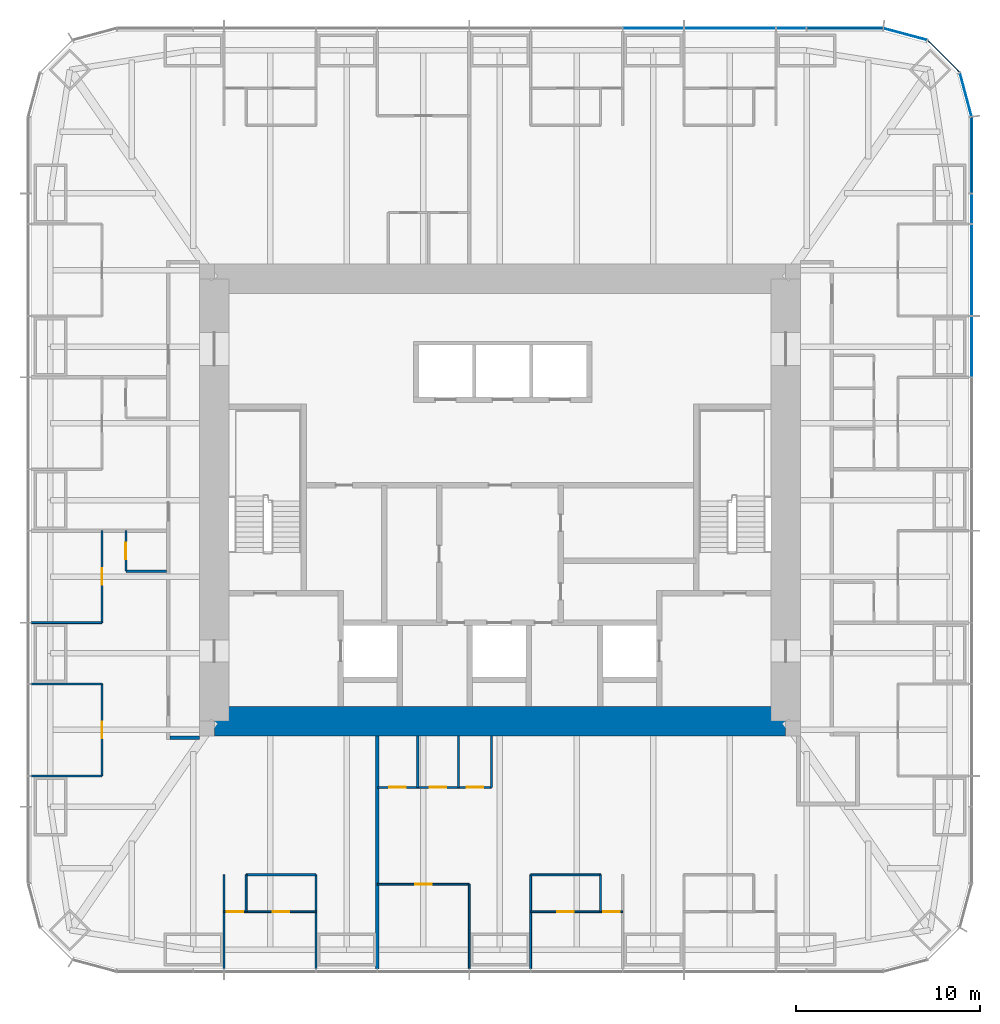
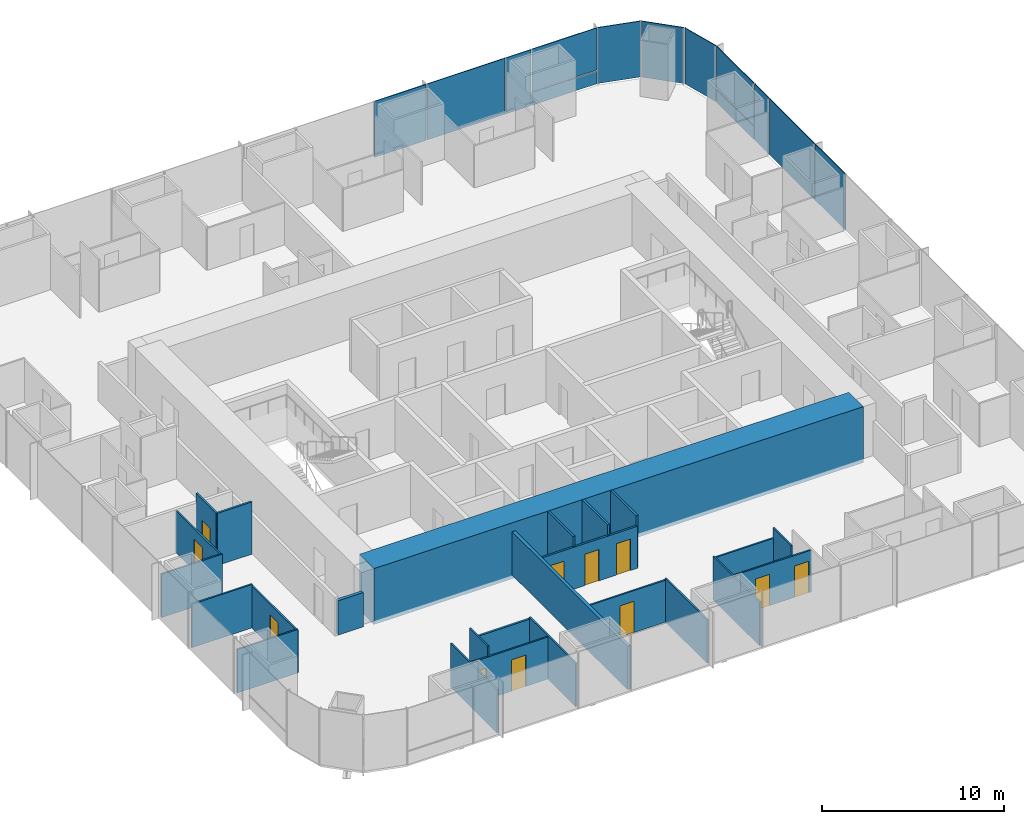
# One storey, part 8 of 13: 25 walls, 13 plates, 11 doors, 11 openings, 3 elements without a shape of their own.
"""IFC4 building model written with IfcOpenShell, lengths in metres."""

from ifc_helpers import new_model, si_unit, direction, frame, frame_2d, origin, origin_2d, place, context, subcontext, project, spatial, rectangle, extrude, material, layer, layer_set, type_object, element, fill, aggregate, save


model = new_model("IFC4")

# Units and contexts
model_context = context("Model", 3, precision=1e-05, world=origin(), true_north=direction((0.0, 1.0)))
body_context = subcontext(model_context, "Body", "Model", "MODEL_VIEW")
ifc_project = project(units=[si_unit("LENGTHUNIT", "METRE"), si_unit("AREAUNIT", "SQUARE_METRE"), si_unit("VOLUMEUNIT", "CUBIC_METRE"), si_unit("PLANEANGLEUNIT", "RADIAN"), si_unit("MASSUNIT", "GRAM", prefix="KILO")], contexts=[model_context])

# Site, building, storey
site_placement = place(None, origin())
site = spatial("IfcSite", under=ifc_project, at=site_placement, CompositionType="ELEMENT")
building_placement = place(site_placement, origin())
building = spatial("IfcBuilding", under=site, at=building_placement, Name="Khuree Lantern Residences", CompositionType="ELEMENT")
storey_placement = place(building_placement, frame((0.0, 0.0, 267.0)))
storey = spatial("IfcBuildingStorey", under=building, at=storey_placement, Name="L67", CompositionType="ELEMENT", Elevation=267.0)

# Curtain wall, plates
ifc_material_1 = material(Name="Bronze anodised aluminium", Category="aluminium")
curtain_wall_type_1 = type_object("IfcCurtainWallType", Name="CW-T2 TOWER CORNER CURTAIN WALL", PredefinedType="USERDEFINED", material=ifc_material_1)
curtain_wall_1_placement = place(storey_placement, origin())
curtain_wall_1 = element("IfcCurtainWall", 1, at=curtain_wall_1_placement, inside=storey, type_object=curtain_wall_type_1, Name="L67 NORTH-EAST CORNER CURTAIN WALL", ObjectType="Faceted corner curtain wall", PredefinedType="USERDEFINED")
ifc_material_2 = material(Name="Bronze tinted triple glazing", Category="glass")
ifc_layer_1 = layer(ifc_material_2, 0.048095703125)
ifc_layer_set_1 = layer_set([ifc_layer_1], Name="FACET PANEL P4")
plate_type_1 = type_object("IfcPlateType", Name="FACET PANEL P4", PredefinedType="CURTAIN_PANEL", material=ifc_layer_set_1)
plate_1_placement = place(storey_placement, frame((25.279052734375, 21.998046875, 0.0), z_axis=(0.0, 0.0, 1.0), x_axis=(-0.258819021888, 0.965925832509, 0.0)))
plate_1 = element("IfcPlate", 2, at=plate_1_placement, type_object=plate_type_1, Name="L67 NORTH-EAST CORNER PANEL 15.1", PredefinedType="CURTAIN_PANEL", context=body_context, shape_type="SweptSolid", body=[
    extrude(rectangle(XDim=2.40869140625, YDim=0.048095703125, at=origin_2d()), origin(), (0.0, 0.0, 1.0), 3.75),
])
plate_2_placement = place(storey_placement, frame((24.078369140625, 24.078369140625, 0.0), z_axis=(0.0, 0.0, 1.0), x_axis=(-0.707106781187, 0.707106781187, 0.0)))
plate_2 = element("IfcPlate", 3, at=plate_2_placement, type_object=plate_type_1, Name="L67 NORTH-EAST CORNER PANEL 16.1", PredefinedType="CURTAIN_PANEL", context=body_context, shape_type="SweptSolid", body=[
    extrude(rectangle(XDim=2.404541015625, YDim=0.048095703125, at=origin_2d()), origin(), (0.0, 0.0, 1.0), 3.75),
])
plate_3_placement = place(storey_placement, frame((21.998046875, 25.279052734375, 0.0), z_axis=(0.0, 0.0, 1.0), x_axis=(-0.965925832509, 0.258819021888, 0.0)))
plate_3 = element("IfcPlate", 4, at=plate_3_placement, type_object=plate_type_1, Name="L67 NORTH-EAST CORNER PANEL 17.1", PredefinedType="CURTAIN_PANEL", context=body_context, shape_type="SweptSolid", body=[
    extrude(rectangle(XDim=2.40869140625, YDim=0.048095703125, at=origin_2d()), origin(), (0.0, 0.0, 1.0), 3.75),
])
aggregate(curtain_wall_1, [plate_1, plate_2, plate_3])

# Curtain wall, plate
curtain_wall_type_2 = type_object("IfcCurtainWallType", Name="CW-T1 TOWER FACE CURTAIN WALL", PredefinedType="USERDEFINED", material=ifc_material_1)
curtain_wall_2_placement = place(storey_placement, origin())
curtain_wall_2 = element("IfcCurtainWall", 5, at=curtain_wall_2_placement, inside=storey, type_object=curtain_wall_type_2, Name="L67 EAST FACE CURTAIN WALL", ObjectType="Stick-built curtain wall", PredefinedType="USERDEFINED")
ifc_material_3 = material(Name="Bronze tinted triple glazing with a ceramic-fritted spandrel band", Category="glass")
ifc_layer_2 = layer(ifc_material_3, 0.048095703125)
ifc_layer_set_2 = layer_set([ifc_layer_2], Name="FIXED LIGHT PANEL P11")
plate_type_2 = type_object("IfcPlateType", Name="FIXED LIGHT PANEL P11", PredefinedType="CURTAIN_PANEL", material=ifc_layer_set_2)
plate_4_placement = place(storey_placement, frame((25.60009765625, 12.47998046875, 0.0), z_axis=(0.0, 0.0, 1.0), x_axis=(0.0, 1.0, 0.0)))
plate_4 = element("IfcPlate", 6, at=plate_4_placement, type_object=plate_type_2, Name="L67 EAST FACE PANEL 12.1", PredefinedType="CURTAIN_PANEL", context=body_context, shape_type="SweptSolid", body=[
    extrude(rectangle(XDim=4.927001953125, YDim=0.048095703125, at=origin_2d()), origin(), (0.0, 0.0, 1.0), 3.75),
])

curtain_wall_3_placement = place(storey_placement, origin())
curtain_wall_3 = element("IfcCurtainWall", 7, at=curtain_wall_3_placement, inside=storey, type_object=curtain_wall_type_2, Name="L67 NORTH FACE CURTAIN WALL", ObjectType="Stick-built curtain wall", PredefinedType="USERDEFINED")
plate_5_placement = place(storey_placement, frame((12.47998046875, 25.60009765625, 0.0), z_axis=(0.0, 0.0, 1.0), x_axis=(-1.0, 0.0, 0.0)))
plate_5 = element("IfcPlate", 8, at=plate_5_placement, type_object=plate_type_2, Name="L67 NORTH FACE PANEL 20.1", PredefinedType="CURTAIN_PANEL", context=body_context, shape_type="SweptSolid", body=[
    extrude(rectangle(XDim=4.927001953125, YDim=0.048095703125, at=origin_2d()), origin(), (0.0, 0.0, 1.0), 3.75),
])

# Plate
ifc_material_4 = material(Name="Bronze tinted triple glazing, two aluminium-framed sashes in one frame", Category="aluminium")
ifc_layer_3 = layer(ifc_material_4, 0.048095703125)
ifc_layer_set_3 = layer_set([ifc_layer_3], Name="SASH PAIR PANEL P12")
plate_type_3 = type_object("IfcPlateType", Name="SASH PAIR PANEL P12", PredefinedType="CURTAIN_PANEL", material=ifc_layer_set_3)
plate_6_placement = place(storey_placement, frame((25.60009765625, 8.320068359375, 0.0), z_axis=(0.0, 0.0, 1.0), x_axis=(0.0, 1.0, 0.0)))
plate_6 = element("IfcPlate", 9, at=plate_6_placement, type_object=plate_type_3, Name="L67 EAST FACE PANEL 11.1", PredefinedType="CURTAIN_PANEL", context=body_context, shape_type="SweptSolid", body=[
    extrude(rectangle(XDim=3.262939453125, YDim=0.048095703125, at=origin_2d()), origin(), (0.0, 0.0, 1.0), 3.75),
])

plate_7_placement = place(storey_placement, frame((8.320068359375, 25.60009765625, 0.0), z_axis=(0.0, 0.0, 1.0), x_axis=(-1.0, 0.0, 0.0)))
plate_7 = element("IfcPlate", 10, at=plate_7_placement, type_object=plate_type_3, Name="L67 NORTH FACE PANEL 21.1", PredefinedType="CURTAIN_PANEL", context=body_context, shape_type="SweptSolid", body=[
    extrude(rectangle(XDim=3.262939453125, YDim=0.048095703125, at=origin_2d()), origin(), (0.0, 0.0, 1.0), 3.75),
])

ifc_material_5 = material(Name="Bronze tinted triple glazing, aluminium-framed sash", Category="aluminium")
ifc_layer_4 = layer(ifc_material_5, 0.048095703125)
ifc_layer_set_4 = layer_set([ifc_layer_4], Name="SASH PANEL P3")
plate_type_4 = type_object("IfcPlateType", Name="SASH PANEL P3", PredefinedType="CURTAIN_PANEL", material=ifc_layer_set_4)
plate_8_placement = place(storey_placement, frame((25.60009765625, 15.80810546875, 0.0), z_axis=(0.0, 0.0, 1.0), x_axis=(0.0, 1.0, 0.0)))
plate_8 = element("IfcPlate", 11, at=plate_8_placement, type_object=plate_type_4, Name="L67 EAST FACE PANEL 13.1", PredefinedType="CURTAIN_PANEL", context=body_context, shape_type="SweptSolid", body=[
    extrude(rectangle(XDim=1.59912109375, YDim=0.048095703125, at=origin_2d()), origin(), (0.0, 0.0, 1.0), 3.75),
])

plate_9_placement = place(storey_placement, frame((15.80810546875, 25.60009765625, 0.0), z_axis=(0.0, 0.0, 1.0), x_axis=(-1.0, 0.0, 0.0)))
plate_9 = element("IfcPlate", 12, at=plate_9_placement, type_object=plate_type_4, Name="L67 NORTH FACE PANEL 19.1", PredefinedType="CURTAIN_PANEL", context=body_context, shape_type="SweptSolid", body=[
    extrude(rectangle(XDim=1.59912109375, YDim=0.048095703125, at=origin_2d()), origin(), (0.0, 0.0, 1.0), 3.75),
])

ifc_material_6 = material(Name="Bronze anodised aluminium insulated spandrel", Category="aluminium")
ifc_layer_5 = layer(ifc_material_6, 0.06005859375)
ifc_layer_set_5 = layer_set([ifc_layer_5], Name="SPANDREL PANEL P2")
plate_type_5 = type_object("IfcPlateType", Name="SPANDREL PANEL P2", PredefinedType="CURTAIN_PANEL", material=ifc_layer_set_5)
plate_10_placement = place(storey_placement, frame((25.60009765625, 18.7177734375, 0.0), z_axis=(0.0, 0.0, 1.0), x_axis=(0.0, 1.0, 0.0)))
plate_10 = element("IfcPlate", 13, at=plate_10_placement, type_object=plate_type_5, Name="L67 EAST FACE PANEL 14.1", PredefinedType="CURTAIN_PANEL", context=body_context, shape_type="SweptSolid", body=[
    extrude(rectangle(XDim=4.0908203125, YDim=0.06005859375, at=origin_2d()), origin(), (0.0, 0.0, 1.0), 0.867431640625),
])

plate_11_placement = place(storey_placement, frame((18.7177734375, 25.60009765625, 0.0), z_axis=(0.0, 0.0, 1.0), x_axis=(-1.0, 0.0, 0.0)))
plate_11 = element("IfcPlate", 14, at=plate_11_placement, type_object=plate_type_5, Name="L67 NORTH FACE PANEL 18.1", PredefinedType="CURTAIN_PANEL", context=body_context, shape_type="SweptSolid", body=[
    extrude(rectangle(XDim=4.0908203125, YDim=0.06005859375, at=origin_2d()), origin(), (0.0, 0.0, 1.0), 0.867431640625),
])

ifc_layer_6 = layer(ifc_material_2, 0.048095703125)
ifc_layer_set_6 = layer_set([ifc_layer_6], Name="VISION PANEL P1")
plate_type_6 = type_object("IfcPlateType", Name="VISION PANEL P1", PredefinedType="CURTAIN_PANEL", material=ifc_layer_set_6)
plate_12_placement = place(storey_placement, frame((25.60009765625, 18.71826171875, 0.9326171875), z_axis=(0.0, 0.0, 1.0), x_axis=(0.0, 1.0, 0.0)))
plate_12 = element("IfcPlate", 15, at=plate_12_placement, type_object=plate_type_6, Name="L67 EAST FACE PANEL 14.2", PredefinedType="CURTAIN_PANEL", context=body_context, shape_type="SweptSolid", body=[
    extrude(rectangle(XDim=4.091552734375, YDim=0.048095703125, at=origin_2d()), origin(), (0.0, 0.0, 1.0), 2.8173828125),
])

aggregate(curtain_wall_2, [plate_6, plate_4, plate_8, plate_10, plate_12])

plate_13_placement = place(storey_placement, frame((18.71826171875, 25.60009765625, 0.9326171875), z_axis=(0.0, 0.0, 1.0), x_axis=(-1.0, 0.0, 0.0)))
plate_13 = element("IfcPlate", 16, at=plate_13_placement, type_object=plate_type_6, Name="L67 NORTH FACE PANEL 18.2", PredefinedType="CURTAIN_PANEL", context=body_context, shape_type="SweptSolid", body=[
    extrude(rectangle(XDim=4.091552734375, YDim=0.048095703125, at=origin_2d()), origin(), (0.0, 0.0, 1.0), 2.8173828125),
])

aggregate(curtain_wall_3, [plate_11, plate_13, plate_9, plate_5, plate_7])

# Wall
ifc_material_7 = material(Name="Moisture-resistant gypsum board on steel studs", Category="steel")
ifc_layer_7 = layer(ifc_material_7, 0.125)
ifc_layer_set_7 = layer_set([ifc_layer_7], Name="BATHROOM WALL BTW125")
wall_type_1 = type_object("IfcWallType", Name="BATHROOM WALL BTW125", PredefinedType="PARTITIONING", material=ifc_layer_set_7)
wall_1_placement = place(storey_placement, frame((-13.77587890625, -20.344970703125, 0.0), z_axis=(0.0, 0.0, 1.0), x_axis=(1.0, 0.0, 0.0)))
element("IfcWall", 17, at=wall_1_placement, inside=storey, type_object=wall_type_1, Name="L67 BATHROOM WALL 05", PredefinedType="PARTITIONING", context=body_context, shape_type="SweptSolid", body=[
    extrude(rectangle(XDim=3.7919921875, YDim=0.125, at=frame_2d((1.89599609375, 0.0))), origin(), (0.0, 0.0, 1.0), 2.81005859375),
])

# Wall, opening, door
wall_2_placement = place(storey_placement, frame((-20.300048828125, -1.6640625, 0.0), z_axis=(0.0, 0.0, 1.0), x_axis=(0.0, -1.0, 0.0)))
wall_2 = element("IfcWall", 18, at=wall_2_placement, inside=storey, type_object=wall_type_1, Name="L67 BATHROOM WALL 05", PredefinedType="PARTITIONING", context=body_context, shape_type="SweptSolid", body=[
    extrude(rectangle(XDim=2.199951171875, YDim=0.125, at=frame_2d((1.10009765625, 0.0))), origin(), (0.0, 0.0, 1.0), 3.5),
])
opening_1_placement = place(wall_2_placement, frame((0.64990234375, 0.0, 0.0)))
opening_1 = element("IfcOpeningElement", 19, at=opening_1_placement, cuts=wall_2, Name="Opening 67-047", PredefinedType="OPENING", context=body_context, shape_type="SweptSolid", body=[
    extrude(rectangle(XDim=0.89990234375, YDim=2.10009765625, at=frame_2d((0.449951171875, 1.050048828125))), frame((0.0, 0.072509765625, 0.0), z_axis=(0.0, -1.0, 0.0), x_axis=(1.0, 0.0, 0.0)), (0.0, 0.0, 1.0), 0.14501953125),
])
ifc_material_8 = material(Name="Timber door leaf in hardwood frame", Category="wood")
door_type_1 = type_object("IfcDoorType", Name="BATHROOM DOOR 900X2100", OperationType="SINGLE_SWING_LEFT", PredefinedType="DOOR", material=ifc_material_8)
door_1_placement = place(opening_1_placement, origin())
door_1 = element("IfcDoor", 20, at=door_1_placement, inside=storey, type_object=door_type_1, Name="Bathroom door 67-047", OperationType="SINGLE_SWING_LEFT", OverallHeight=2.10009765625, OverallWidth=0.89990234375, PredefinedType="DOOR", context=body_context, shape_type="SweptSolid", body=[
    extrude(rectangle(XDim=0.89990234375, YDim=2.10009765625, at=frame_2d((0.449951171875, 1.050048828125))), frame((0.0, 0.02490234375, 0.0), z_axis=(0.0, -1.0, 0.0), x_axis=(1.0, 0.0, 0.0)), (0.0, 0.0, 1.0), 0.050048828125),
])
fill(opening_1, door_1)

# Wall
wall_3_placement = place(storey_placement, frame((-18.10009765625, -3.864013671875, 0.0), z_axis=(0.0, 0.0, 1.0), x_axis=(-1.0, 0.0, 0.0)))
element("IfcWall", 21, at=wall_3_placement, inside=storey, type_object=wall_type_1, Name="L67 BATHROOM WALL 05", PredefinedType="PARTITIONING", context=body_context, shape_type="SweptSolid", body=[
    extrude(rectangle(XDim=2.199951171875, YDim=0.125, at=frame_2d((1.10009765625, 0.0))), origin(), (0.0, 0.0, 1.0), 3.5),
])

# Wall, openings, doors
wall_4_placement = place(storey_placement, frame((-6.656005859375, -15.60009765625, 0.0), z_axis=(0.0, 0.0, 1.0), x_axis=(1.0, 0.0, 0.0)))
wall_4 = element("IfcWall", 22, at=wall_4_placement, inside=storey, type_object=wall_type_1, Name="L67 BATHROOM WALL 06", PredefinedType="PARTITIONING", context=body_context, shape_type="SweptSolid", body=[
    extrude(rectangle(XDim=6.199951171875, YDim=0.125, at=frame_2d((3.10009765625, 0.0))), origin(), (0.0, 0.0, 1.0), 2.81005859375),
])
opening_2_placement = place(wall_4_placement, frame((0.64990234375, 0.0, 0.0)))
opening_2 = element("IfcOpeningElement", 23, at=opening_2_placement, cuts=wall_4, Name="Opening 67-055", PredefinedType="OPENING", context=body_context, shape_type="SweptSolid", body=[
    extrude(rectangle(XDim=0.89990234375, YDim=2.10009765625, at=frame_2d((0.449951171875, 1.050048828125))), frame((0.0, 0.072509765625, 0.0), z_axis=(0.0, -1.0, 0.0), x_axis=(1.0, 0.0, 0.0)), (0.0, 0.0, 1.0), 0.14501953125),
])
opening_3_placement = place(wall_4_placement, frame((2.85009765625, 0.0, 0.0)))
opening_3 = element("IfcOpeningElement", 24, at=opening_3_placement, cuts=wall_4, Name="Opening 67-056", PredefinedType="OPENING", context=body_context, shape_type="SweptSolid", body=[
    extrude(rectangle(XDim=0.89990234375, YDim=2.10009765625, at=frame_2d((0.449951171875, 1.050048828125))), frame((0.0, 0.072509765625, 0.0), z_axis=(0.0, -1.0, 0.0), x_axis=(1.0, 0.0, 0.0)), (0.0, 0.0, 1.0), 0.14501953125),
])
opening_4_placement = place(wall_4_placement, frame((4.85009765625, 0.0, 0.0)))
opening_4 = element("IfcOpeningElement", 25, at=opening_4_placement, cuts=wall_4, Name="Opening 67-057", PredefinedType="OPENING", context=body_context, shape_type="SweptSolid", body=[
    extrude(rectangle(XDim=0.89990234375, YDim=2.10009765625, at=frame_2d((0.449951171875, 1.050048828125))), frame((0.0, 0.072509765625, 0.0), z_axis=(0.0, -1.0, 0.0), x_axis=(1.0, 0.0, 0.0)), (0.0, 0.0, 1.0), 0.14501953125),
])
door_2_placement = place(opening_2_placement, origin())
door_2 = element("IfcDoor", 26, at=door_2_placement, inside=storey, type_object=door_type_1, Name="Bathroom door 67-055", OperationType="SINGLE_SWING_LEFT", OverallHeight=2.10009765625, OverallWidth=0.89990234375, PredefinedType="DOOR", context=body_context, shape_type="SweptSolid", body=[
    extrude(rectangle(XDim=0.89990234375, YDim=2.10009765625, at=frame_2d((0.449951171875, 1.050048828125))), frame((0.0, 0.02490234375, 0.0), z_axis=(0.0, -1.0, 0.0), x_axis=(1.0, 0.0, 0.0)), (0.0, 0.0, 1.0), 0.050048828125),
])
fill(opening_2, door_2)
door_3_placement = place(opening_3_placement, origin())
door_3 = element("IfcDoor", 27, at=door_3_placement, inside=storey, type_object=door_type_1, Name="Bathroom door 67-056", OperationType="SINGLE_SWING_LEFT", OverallHeight=2.10009765625, OverallWidth=0.89990234375, PredefinedType="DOOR", context=body_context, shape_type="SweptSolid", body=[
    extrude(rectangle(XDim=0.89990234375, YDim=2.10009765625, at=frame_2d((0.449951171875, 1.050048828125))), frame((0.0, 0.02490234375, 0.0), z_axis=(0.0, -1.0, 0.0), x_axis=(1.0, 0.0, 0.0)), (0.0, 0.0, 1.0), 0.050048828125),
])
fill(opening_3, door_3)
door_type_2 = type_object("IfcDoorType", Name="DOOR 900X2100", OperationType="SINGLE_SWING_LEFT", PredefinedType="DOOR", material=ifc_material_8)
door_4_placement = place(opening_4_placement, origin())
door_4 = element("IfcDoor", 28, at=door_4_placement, inside=storey, type_object=door_type_2, Name="Store door 67-057", OperationType="SINGLE_SWING_LEFT", OverallHeight=2.10009765625, OverallWidth=0.89990234375, PredefinedType="DOOR", context=body_context, shape_type="SweptSolid", body=[
    extrude(rectangle(XDim=0.89990234375, YDim=2.10009765625, at=frame_2d((0.449951171875, 1.050048828125))), frame((0.0, 0.02490234375, 0.0), z_axis=(0.0, -1.0, 0.0), x_axis=(1.0, 0.0, 0.0)), (0.0, 0.0, 1.0), 0.050048828125),
])
fill(opening_4, door_4)

# Walls
for number, where, z_axis, x_axis, name in (
    (29, (-4.4560546875, -12.800048828125, 0.0), (0.0, 0.0, 1.0), (0.0, -1.0, 0.0), "L67 BATHROOM WALL 06"),
    (30, (-2.256103515625, -12.800048828125, 0.0), (0.0, 0.0, 1.0), (0.0, -1.0, 0.0), "L67 BATHROOM WALL 06"),
    (31, (-0.4560546875, -12.800048828125, 0.0), (0.0, 0.0, 1.0), (0.0, -1.0, 0.0), "L67 BATHROOM WALL 06"),
):
    element("IfcWall", number, at=place(storey_placement, frame(where, z_axis=z_axis, x_axis=x_axis)), inside=storey, type_object=wall_type_1, Name=name, PredefinedType="PARTITIONING", context=body_context, shape_type="SweptSolid", body=[
        extrude(rectangle(XDim=2.800048828125, YDim=0.125, at=frame_2d((1.39990234375, 0.0))), origin(), (0.0, 0.0, 1.0), 3.5),
    ])
ifc_material_9 = material(Name="Gypsum board on steel studs", Category="steel")
ifc_layer_8 = layer(ifc_material_9, 0.199951171875)
ifc_layer_set_8 = layer_set([ifc_layer_8], Name="CORRIDOR WALL CRW200 EI 60")
wall_type_2 = type_object("IfcWallType", Name="CORRIDOR WALL CRW200 EI 60", PredefinedType="PARTITIONING", material=ifc_layer_set_8)
wall_5_placement = place(storey_placement, frame((-16.300048828125, -12.89990234375, 0.0), z_axis=(0.0, 0.0, 1.0), x_axis=(-1.0, 0.0, 0.0)))
element("IfcWall", 32, at=wall_5_placement, inside=storey, type_object=wall_type_2, Name="L67 WEST CORRIDOR SOUTH END WALL", PredefinedType="PARTITIONING", context=body_context, shape_type="SweptSolid", body=[
    extrude(rectangle(XDim=1.599853515625, YDim=0.199951171875, at=frame_2d((0.7998046875, 0.0))), origin(), (0.0, 0.0, 1.0), 2.300048828125),
])
ifc_material_10 = material(Name="Concrete C50/60", Category="concrete")
ifc_layer_9 = layer(ifc_material_10, 1.60009765625)
ifc_layer_set_9 = layer_set([ifc_layer_9], Name="CW1600-C50 CORE WALL C50 1600")
wall_type_3 = type_object("IfcWallType", Name="CW1600-C50 CORE WALL C50 1600", PredefinedType="SHEAR", material=ifc_layer_set_9)
wall_6_placement = place(storey_placement, frame((-15.5, -12.0, -0.25), z_axis=(0.0, 0.0, 1.0), x_axis=(1.0, 0.0, 0.0)))
element("IfcWall", 33, at=wall_6_placement, inside=storey, type_object=wall_type_3, Name="Core wall S", PredefinedType="SHEAR", context=body_context, shape_type="SweptSolid", body=[
    extrude(rectangle(XDim=31.0, YDim=1.60009765625, at=frame_2d((15.5, 0.0))), origin(), (0.0, 0.0, 1.0), 3.75),
])
ifc_layer_10 = layer(ifc_material_9, 0.199951171875)
ifc_layer_set_10 = layer_set([ifc_layer_10], Name="DEMISING WALL DMW200 EI 90")
wall_type_4 = type_object("IfcWallType", Name="DEMISING WALL DMW200 EI 90", PredefinedType="PARTITIONING", material=ifc_layer_set_10)
wall_7_placement = place(storey_placement, frame((-6.656005859375, -12.800048828125, 0.0), z_axis=(0.0, 0.0, 1.0), x_axis=(0.0, -1.0, 0.0)))
element("IfcWall", 34, at=wall_7_placement, inside=storey, type_object=wall_type_4, Name="L67 DEMISING WALL 06", PredefinedType="PARTITIONING", context=body_context, shape_type="SweptSolid", body=[
    extrude(rectangle(XDim=12.64990234375, YDim=0.199951171875, at=frame_2d((6.324951171875, 0.0))), origin(), (0.0, 0.0, 1.0), 2.909912109375),
])
ifc_layer_11 = layer(ifc_material_9, 0.10009765625)
ifc_layer_set_11 = layer_set([ifc_layer_11], Name="PARTITION PT100")
wall_type_5 = type_object("IfcWallType", Name="PARTITION PT100", PredefinedType="PARTITIONING", material=ifc_layer_set_11)
for number, where, z_axis, x_axis, name in (
    (35, (-21.60009765625, -6.656005859375, 0.0), (0.0, 0.0, 1.0), (-1.0, 0.0, 0.0), "L67 PARTITION 05"),
    (36, (-21.60009765625, -9.98388671875, 0.0), (0.0, 0.0, 1.0), (-1.0, 0.0, 0.0), "L67 PARTITION 05"),
    (37, (-21.60009765625, -14.97607421875, 0.0), (0.0, 0.0, 1.0), (-1.0, 0.0, 0.0), "L67 PARTITION 05"),
):
    element("IfcWall", number, at=place(storey_placement, frame(where, z_axis=z_axis, x_axis=x_axis)), inside=storey, type_object=wall_type_5, Name=name, PredefinedType="PARTITIONING", context=body_context, shape_type="SweptSolid", body=[
        extrude(rectangle(XDim=3.849853515625, YDim=0.10009765625, at=frame_2d((1.9248046875, 0.0))), origin(), (0.0, 0.0, 1.0), 2.909912109375),
    ])
for number, where, z_axis, x_axis, name in (
    (38, (-14.97607421875, -20.344970703125, 0.0), (0.0, 0.0, 1.0), (0.0, -1.0, 0.0), "L67 PARTITION 05"),
    (39, (-9.98388671875, -20.344970703125, 0.0), (0.0, 0.0, 1.0), (0.0, -1.0, 0.0), "L67 PARTITION 05"),
):
    element("IfcWall", number, at=place(storey_placement, frame(where, z_axis=z_axis, x_axis=x_axis)), inside=storey, type_object=wall_type_5, Name=name, PredefinedType="PARTITIONING", context=body_context, shape_type="SweptSolid", body=[
        extrude(rectangle(XDim=5.10498046875, YDim=0.10009765625, at=frame_2d((2.552490234375, 0.0))), origin(), (0.0, 0.0, 1.0), 2.909912109375),
    ])
wall_8_placement = place(storey_placement, frame((-1.6640625, -20.85009765625, 0.0), z_axis=(0.0, 0.0, 1.0), x_axis=(0.0, -1.0, 0.0)))
element("IfcWall", 40, at=wall_8_placement, inside=storey, type_object=wall_type_5, Name="L67 PARTITION 06", PredefinedType="PARTITIONING", context=body_context, shape_type="SweptSolid", body=[
    extrude(rectangle(XDim=4.599853515625, YDim=0.10009765625, at=frame_2d((2.2998046875, 0.0))), origin(), (0.0, 0.0, 1.0), 2.909912109375),
])
wall_9_placement = place(storey_placement, frame((1.6640625, -20.344970703125, 0.0), z_axis=(0.0, 0.0, 1.0), x_axis=(0.0, -1.0, 0.0)))
element("IfcWall", 41, at=wall_9_placement, inside=storey, type_object=wall_type_5, Name="L67 PARTITION 06", PredefinedType="PARTITIONING", context=body_context, shape_type="SweptSolid", body=[
    extrude(rectangle(XDim=5.10498046875, YDim=0.10009765625, at=frame_2d((2.552490234375, 0.0))), origin(), (0.0, 0.0, 1.0), 2.909912109375),
])

# Wall, opening, door
wall_10_placement = place(storey_placement, frame((-21.60009765625, -1.6640625, 0.0), z_axis=(0.0, 0.0, 1.0), x_axis=(0.0, -1.0, 0.0)))
wall_10 = element("IfcWall", 42, at=wall_10_placement, inside=storey, type_object=wall_type_5, Name="L67 PARTITION 05", PredefinedType="PARTITIONING", context=body_context, shape_type="SweptSolid", body=[
    extrude(rectangle(XDim=4.991943359375, YDim=0.10009765625, at=frame_2d((2.49609375, 0.0))), origin(), (0.0, 0.0, 1.0), 2.81005859375),
])
opening_5_placement = place(wall_10_placement, frame((2.0458984375, 0.0, 0.0)))
opening_5 = element("IfcOpeningElement", 43, at=opening_5_placement, cuts=wall_10, Name="Opening 67-043", PredefinedType="OPENING", context=body_context, shape_type="SweptSolid", body=[
    extrude(rectangle(XDim=0.89990234375, YDim=2.10009765625, at=frame_2d((0.449951171875, 1.050048828125))), frame((0.0, 0.06005859375, 0.0), z_axis=(0.0, -1.0, 0.0), x_axis=(1.0, 0.0, 0.0)), (0.0, 0.0, 1.0), 0.1201171875),
])
door_type_3 = type_object("IfcDoorType", Name="BEDROOM DOOR 900X2100", OperationType="SINGLE_SWING_LEFT", PredefinedType="DOOR", material=ifc_material_8)
door_5_placement = place(opening_5_placement, origin())
door_5 = element("IfcDoor", 44, at=door_5_placement, inside=storey, type_object=door_type_3, Name="Bedroom door 67-043", OperationType="SINGLE_SWING_LEFT", OverallHeight=2.10009765625, OverallWidth=0.89990234375, PredefinedType="DOOR", context=body_context, shape_type="SweptSolid", body=[
    extrude(rectangle(XDim=0.89990234375, YDim=2.10009765625, at=frame_2d((0.449951171875, 1.050048828125))), frame((0.0, 0.02490234375, 0.0), z_axis=(0.0, -1.0, 0.0), x_axis=(1.0, 0.0, 0.0)), (0.0, 0.0, 1.0), 0.050048828125),
])
fill(opening_5, door_5)

wall_11_placement = place(storey_placement, frame((-21.60009765625, -9.98388671875, 0.0), z_axis=(0.0, 0.0, 1.0), x_axis=(0.0, -1.0, 0.0)))
wall_11 = element("IfcWall", 45, at=wall_11_placement, inside=storey, type_object=wall_type_5, Name="L67 PARTITION 05", PredefinedType="PARTITIONING", context=body_context, shape_type="SweptSolid", body=[
    extrude(rectangle(XDim=4.9921875, YDim=0.10009765625, at=frame_2d((2.49609375, 0.0))), origin(), (0.0, 0.0, 1.0), 2.81005859375),
])
opening_6_placement = place(wall_11_placement, frame((2.0458984375, 0.0, 0.0)))
opening_6 = element("IfcOpeningElement", 46, at=opening_6_placement, cuts=wall_11, Name="Opening 67-044", PredefinedType="OPENING", context=body_context, shape_type="SweptSolid", body=[
    extrude(rectangle(XDim=0.89990234375, YDim=2.10009765625, at=frame_2d((0.449951171875, 1.050048828125))), frame((0.0, 0.06005859375, 0.0), z_axis=(0.0, -1.0, 0.0), x_axis=(1.0, 0.0, 0.0)), (0.0, 0.0, 1.0), 0.1201171875),
])
door_6_placement = place(opening_6_placement, origin())
door_6 = element("IfcDoor", 47, at=door_6_placement, inside=storey, type_object=door_type_3, Name="Bedroom door 67-044", OperationType="SINGLE_SWING_LEFT", OverallHeight=2.10009765625, OverallWidth=0.89990234375, PredefinedType="DOOR", context=body_context, shape_type="SweptSolid", body=[
    extrude(rectangle(XDim=0.89990234375, YDim=2.10009765625, at=frame_2d((0.449951171875, 1.050048828125))), frame((0.0, 0.02490234375, 0.0), z_axis=(0.0, -1.0, 0.0), x_axis=(1.0, 0.0, 0.0)), (0.0, 0.0, 1.0), 0.050048828125),
])
fill(opening_6, door_6)

# Wall, openings, doors
wall_12_placement = place(storey_placement, frame((-14.97607421875, -22.344970703125, 0.0), z_axis=(0.0, 0.0, 1.0), x_axis=(1.0, 0.0, 0.0)))
wall_12 = element("IfcWall", 48, at=wall_12_placement, inside=storey, type_object=wall_type_5, Name="L67 PARTITION 05", PredefinedType="PARTITIONING", context=body_context, shape_type="SweptSolid", body=[
    extrude(rectangle(XDim=4.9921875, YDim=0.10009765625, at=frame_2d((2.49609375, 0.0))), origin(), (0.0, 0.0, 1.0), 2.81005859375),
])
opening_7_placement = place(wall_12_placement, frame((0.14990234375, 0.0, 0.0)))
opening_7 = element("IfcOpeningElement", 49, at=opening_7_placement, cuts=wall_12, Name="Opening 67-045", PredefinedType="OPENING", context=body_context, shape_type="SweptSolid", body=[
    extrude(rectangle(XDim=0.89990234375, YDim=2.10009765625, at=frame_2d((0.449951171875, 1.050048828125))), frame((0.0, 0.06005859375, 0.0), z_axis=(0.0, -1.0, 0.0), x_axis=(1.0, 0.0, 0.0)), (0.0, 0.0, 1.0), 0.1201171875),
])
opening_8_placement = place(wall_12_placement, frame((2.64599609375, 0.0, 0.0)))
opening_8 = element("IfcOpeningElement", 50, at=opening_8_placement, cuts=wall_12, Name="Opening 67-046", PredefinedType="OPENING", context=body_context, shape_type="SweptSolid", body=[
    extrude(rectangle(XDim=0.89990234375, YDim=2.10009765625, at=frame_2d((0.449951171875, 1.050048828125))), frame((0.0, 0.06005859375, 0.0), z_axis=(0.0, -1.0, 0.0), x_axis=(1.0, 0.0, 0.0)), (0.0, 0.0, 1.0), 0.1201171875),
])
door_7_placement = place(opening_8_placement, origin())
door_7 = element("IfcDoor", 51, at=door_7_placement, inside=storey, type_object=door_type_1, Name="Bathroom door 67-046", OperationType="SINGLE_SWING_LEFT", OverallHeight=2.10009765625, OverallWidth=0.89990234375, PredefinedType="DOOR", context=body_context, shape_type="SweptSolid", body=[
    extrude(rectangle(XDim=0.89990234375, YDim=2.10009765625, at=frame_2d((0.449951171875, 1.050048828125))), frame((0.0, 0.02490234375, 0.0), z_axis=(0.0, -1.0, 0.0), x_axis=(1.0, 0.0, 0.0)), (0.0, 0.0, 1.0), 0.050048828125),
])
fill(opening_8, door_7)
door_8_placement = place(opening_7_placement, origin())
door_8 = element("IfcDoor", 52, at=door_8_placement, inside=storey, type_object=door_type_3, Name="Bedroom door 67-045", OperationType="SINGLE_SWING_LEFT", OverallHeight=2.10009765625, OverallWidth=0.89990234375, PredefinedType="DOOR", context=body_context, shape_type="SweptSolid", body=[
    extrude(rectangle(XDim=0.89990234375, YDim=2.10009765625, at=frame_2d((0.449951171875, 1.050048828125))), frame((0.0, 0.02490234375, 0.0), z_axis=(0.0, -1.0, 0.0), x_axis=(1.0, 0.0, 0.0)), (0.0, 0.0, 1.0), 0.050048828125),
])
fill(opening_7, door_8)

# Wall
wall_13_placement = place(storey_placement, frame((-13.77587890625, -20.344970703125, 0.0), z_axis=(0.0, 0.0, 1.0), x_axis=(0.0, -1.0, 0.0)))
element("IfcWall", 53, at=wall_13_placement, inside=storey, type_object=wall_type_5, Name="L67 PARTITION 05", PredefinedType="PARTITIONING", context=body_context, shape_type="SweptSolid", body=[
    extrude(rectangle(XDim=2.0, YDim=0.10009765625, at=frame_2d((1.0, 0.0))), origin(), (0.0, 0.0, 1.0), 3.5),
])

# Wall, opening, door
wall_14_placement = place(storey_placement, frame((-6.656005859375, -20.85009765625, 0.0), z_axis=(0.0, 0.0, 1.0), x_axis=(1.0, 0.0, 0.0)))
wall_14 = element("IfcWall", 54, at=wall_14_placement, inside=storey, type_object=wall_type_5, Name="L67 PARTITION 06", PredefinedType="PARTITIONING", context=body_context, shape_type="SweptSolid", body=[
    extrude(rectangle(XDim=4.991943359375, YDim=0.10009765625, at=frame_2d((2.49609375, 0.0))), origin(), (0.0, 0.0, 1.0), 2.81005859375),
])
opening_9_placement = place(wall_14_placement, frame((2.0458984375, 0.0, 0.0)))
opening_9 = element("IfcOpeningElement", 55, at=opening_9_placement, cuts=wall_14, Name="Opening 67-049", PredefinedType="OPENING", context=body_context, shape_type="SweptSolid", body=[
    extrude(rectangle(XDim=0.89990234375, YDim=2.10009765625, at=frame_2d((0.449951171875, 1.050048828125))), frame((0.0, 0.06005859375, 0.0), z_axis=(0.0, -1.0, 0.0), x_axis=(1.0, 0.0, 0.0)), (0.0, 0.0, 1.0), 0.1201171875),
])
door_9_placement = place(opening_9_placement, origin())
door_9 = element("IfcDoor", 56, at=door_9_placement, inside=storey, type_object=door_type_3, Name="Bedroom door 67-049", OperationType="SINGLE_SWING_LEFT", OverallHeight=2.10009765625, OverallWidth=0.89990234375, PredefinedType="DOOR", context=body_context, shape_type="SweptSolid", body=[
    extrude(rectangle(XDim=0.89990234375, YDim=2.10009765625, at=frame_2d((0.449951171875, 1.050048828125))), frame((0.0, 0.02490234375, 0.0), z_axis=(0.0, -1.0, 0.0), x_axis=(1.0, 0.0, 0.0)), (0.0, 0.0, 1.0), 0.050048828125),
])
fill(opening_9, door_9)

# Wall, openings, doors
wall_15_placement = place(storey_placement, frame((1.6640625, -22.344970703125, 0.0), z_axis=(0.0, 0.0, 1.0), x_axis=(1.0, 0.0, 0.0)))
wall_15 = element("IfcWall", 57, at=wall_15_placement, inside=storey, type_object=wall_type_5, Name="L67 PARTITION 06", PredefinedType="PARTITIONING", context=body_context, shape_type="SweptSolid", body=[
    extrude(rectangle(XDim=4.991943359375, YDim=0.10009765625, at=frame_2d((2.49609375, 0.0))), origin(), (0.0, 0.0, 1.0), 2.81005859375),
])
opening_10_placement = place(wall_15_placement, frame((3.94189453125, 0.0, 0.0)))
opening_10 = element("IfcOpeningElement", 58, at=opening_10_placement, cuts=wall_15, Name="Opening 67-050", PredefinedType="OPENING", context=body_context, shape_type="SweptSolid", body=[
    extrude(rectangle(XDim=0.89990234375, YDim=2.10009765625, at=frame_2d((0.449951171875, 1.050048828125))), frame((0.0, 0.06005859375, 0.0), z_axis=(0.0, -1.0, 0.0), x_axis=(1.0, 0.0, 0.0)), (0.0, 0.0, 1.0), 0.1201171875),
])
opening_11_placement = place(wall_15_placement, frame((1.446044921875, 0.0, 0.0)))
opening_11 = element("IfcOpeningElement", 59, at=opening_11_placement, cuts=wall_15, Name="Opening 67-051", PredefinedType="OPENING", context=body_context, shape_type="SweptSolid", body=[
    extrude(rectangle(XDim=0.89990234375, YDim=2.10009765625, at=frame_2d((0.449951171875, 1.050048828125))), frame((0.0, 0.06005859375, 0.0), z_axis=(0.0, -1.0, 0.0), x_axis=(1.0, 0.0, 0.0)), (0.0, 0.0, 1.0), 0.1201171875),
])
door_10_placement = place(opening_10_placement, origin())
door_10 = element("IfcDoor", 60, at=door_10_placement, inside=storey, type_object=door_type_3, Name="Bedroom door 67-050", OperationType="SINGLE_SWING_LEFT", OverallHeight=2.10009765625, OverallWidth=0.89990234375, PredefinedType="DOOR", context=body_context, shape_type="SweptSolid", body=[
    extrude(rectangle(XDim=0.89990234375, YDim=2.10009765625, at=frame_2d((0.449951171875, 1.050048828125))), frame((0.0, 0.02490234375, 0.0), z_axis=(0.0, -1.0, 0.0), x_axis=(1.0, 0.0, 0.0)), (0.0, 0.0, 1.0), 0.050048828125),
])
fill(opening_10, door_10)
door_11_placement = place(opening_11_placement, origin())
door_11 = element("IfcDoor", 61, at=door_11_placement, inside=storey, type_object=door_type_2, Name="Wardrobe door 67-051", OperationType="SINGLE_SWING_LEFT", OverallHeight=2.10009765625, OverallWidth=0.89990234375, PredefinedType="DOOR", context=body_context, shape_type="SweptSolid", body=[
    extrude(rectangle(XDim=0.89990234375, YDim=2.10009765625, at=frame_2d((0.449951171875, 1.050048828125))), frame((0.0, 0.02490234375, 0.0), z_axis=(0.0, -1.0, 0.0), x_axis=(1.0, 0.0, 0.0)), (0.0, 0.0, 1.0), 0.050048828125),
])
fill(opening_11, door_11)

# Walls
wall_16_placement = place(storey_placement, frame((5.4560546875, -20.344970703125, 0.0), z_axis=(0.0, 0.0, 1.0), x_axis=(0.0, -1.0, 0.0)))
element("IfcWall", 62, at=wall_16_placement, inside=storey, type_object=wall_type_5, Name="L67 PARTITION 06", PredefinedType="PARTITIONING", context=body_context, shape_type="SweptSolid", body=[
    extrude(rectangle(XDim=2.0, YDim=0.10009765625, at=frame_2d((1.0, 0.0))), origin(), (0.0, 0.0, 1.0), 3.5),
])
wall_17_placement = place(storey_placement, frame((1.6640625, -20.344970703125, 0.0), z_axis=(0.0, 0.0, 1.0), x_axis=(1.0, 0.0, 0.0)))
element("IfcWall", 63, at=wall_17_placement, inside=storey, type_object=wall_type_5, Name="L67 PARTITION 06", PredefinedType="PARTITIONING", context=body_context, shape_type="SweptSolid", body=[
    extrude(rectangle(XDim=3.7919921875, YDim=0.10009765625, at=frame_2d((1.89599609375, 0.0))), origin(), (0.0, 0.0, 1.0), 2.81005859375),
])

save(model, "model.ifc")
